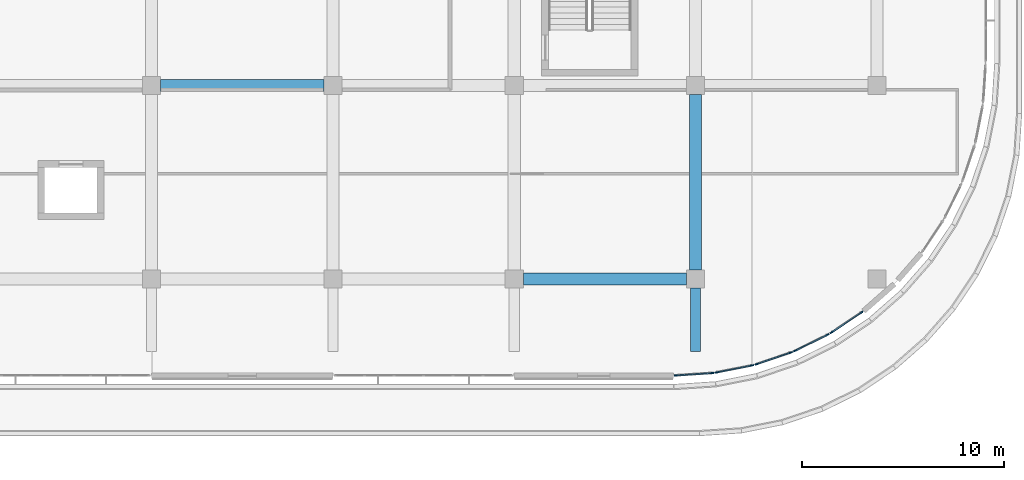
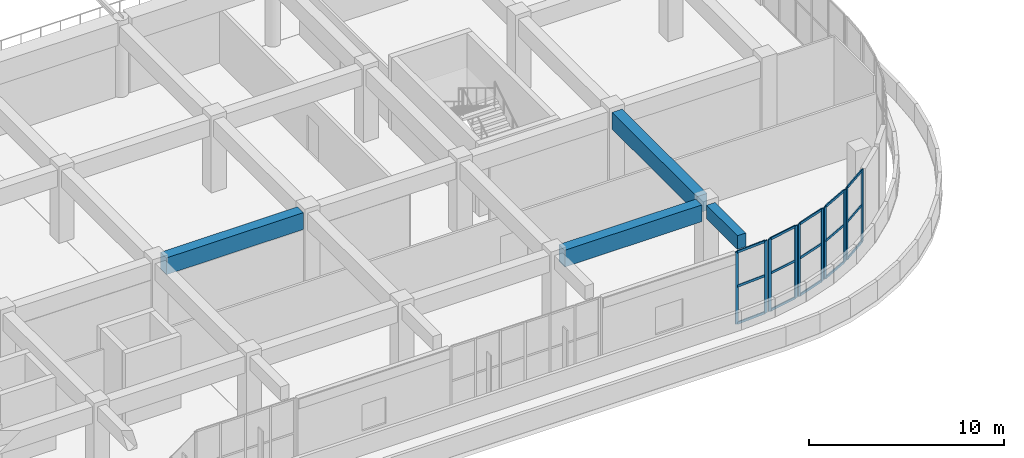
# One storey, part 21 of 96: 25 members, 4 beams, 5 elements without a shape of their own.
"""IFC4 building model written with IfcOpenShell, lengths in metres."""

from ifc_helpers import new_model, si_unit, direction, frame, origin, origin_2d, place, context, subcontext, project, spatial, rectangle, extrude, material, layer, layer_set, material_profile, profile_set, type_object, element, aggregate, save


model = new_model("IFC4")

# Units and contexts
model_context = context("Model", 3, precision=1e-05, world=origin(), true_north=direction((0.0, 1.0)))
body_context = subcontext(model_context, "Body", "Model", "MODEL_VIEW")
ifc_project = project(units=[si_unit("LENGTHUNIT", "METRE"), si_unit("AREAUNIT", "SQUARE_METRE"), si_unit("VOLUMEUNIT", "CUBIC_METRE"), si_unit("PLANEANGLEUNIT", "RADIAN"), si_unit("MASSUNIT", "GRAM", prefix="KILO")], contexts=[model_context])

# Site, building, storey
site_placement = place(None, origin())
site = spatial("IfcSite", under=ifc_project, at=site_placement, CompositionType="ELEMENT")
building_placement = place(site_placement, origin())
building = spatial("IfcBuilding", under=site, at=building_placement, Name="Cendralis Terraced Arcade", CompositionType="ELEMENT")
storey_placement = place(building_placement, frame((0.0, 0.0, 10.199951171875)))
storey = spatial("IfcBuildingStorey", under=building, at=storey_placement, Name="L02", CompositionType="ELEMENT", Elevation=10.199951171875)

# Beams
ifc_material_1 = material(Name="Concrete f'c 35 MPa", Category="concrete")
ifc_material_profile_1 = material_profile(ifc_material_1, rectangle(XDim=0.60009765625, YDim=1.050048828125, at=origin_2d()), Name="RC-BM-600x1050", Category="LoadBearing")
ifc_profile_set_1 = profile_set([ifc_material_profile_1], Name="Concrete f'c 35 MPa")
beam_type_1 = type_object("IfcBeamType", Name="BM-600x1050", PredefinedType="JOIST", material=ifc_profile_set_1)
for number, where, z_axis, x_axis, name in (
    (1, (112.64990234375, 9.60009765625, 3.989990234375), (1.0, 0.0, 0.0), (0.0, 1.0, 0.0), "Reinforced Concrete Frame Beam BM-X-L03-B-13_14"),
    (2, (94.64990234375, 19.199951171875, 3.989990234375), (1.0, 0.0, 0.0), (0.0, 1.0, 0.0), "Reinforced Concrete Frame Beam BM-X-L03-C-11_12"),
):
    element("IfcBeam", number, at=place(storey_placement, frame(where, z_axis=z_axis, x_axis=x_axis)), inside=storey, type_object=beam_type_1, Name=name, PredefinedType="JOIST", context=body_context, shape_type="SweptSolid", body=[
        extrude(rectangle(XDim=0.60009765625, YDim=1.050048828125, at=origin_2d()), origin(), (0.0, 0.0, 1.0), 8.10009765625),
    ])
beam_1_placement = place(storey_placement, frame((121.199951171875, 10.050048828125, 3.989990234375), z_axis=(0.0, 1.0, 0.0), x_axis=(-1.0, 0.0, 0.0)))
element("IfcBeam", 3, at=beam_1_placement, inside=storey, type_object=beam_type_1, Name="Reinforced Concrete Frame Beam BM-Y-L03-14-B_C", PredefinedType="JOIST", context=body_context, shape_type="SweptSolid", body=[
    extrude(rectangle(XDim=0.60009765625, YDim=1.050048828125, at=origin_2d()), origin(), (0.0, 0.0, 1.0), 8.699951171875),
])
ifc_material_profile_2 = material_profile(ifc_material_1, rectangle(XDim=0.5, YDim=0.85009765625, at=origin_2d()), Name="RC-BM-500x850", Category="LoadBearing")
ifc_profile_set_2 = profile_set([ifc_material_profile_2], Name="Concrete f'c 35 MPa")
beam_type_2 = type_object("IfcBeamType", Name="BM-TER-500x850", PredefinedType="BEAM", material=ifc_profile_set_2)
beam_2_placement = place(storey_placement, frame((121.199951171875, 9.14990234375, 4.090087890625), z_axis=(0.0, -1.0, 0.0), x_axis=(1.0, 0.0, 0.0)))
element("IfcBeam", 4, at=beam_2_placement, inside=storey, type_object=beam_type_2, Name="Terrace Bracket Girder TER-L03-V4-14", PredefinedType="BEAM", context=body_context, shape_type="SweptSolid", body=[
    extrude(rectangle(XDim=0.5, YDim=0.85009765625, at=origin_2d()), origin(), (0.0, 0.0, 1.0), 3.14990234375),
])

# Curtain wall, members
ifc_material_2 = material(Name="Anodised aluminium EN AW-6063 T6", Category="aluminium")
ifc_layer = layer(ifc_material_2, 0.179931640625, Name="CW-UNIT-A")
ifc_layer_set = layer_set([ifc_layer], Name="Anodised aluminium EN AW-6063 T6")
curtain_wall_type = type_object("IfcCurtainWallType", Name="CW-UNIT-A", PredefinedType="USERDEFINED", material=ifc_layer_set)
curtain_wall_1_placement = place(storey_placement, origin())
curtain_wall_1 = element("IfcCurtainWall", 5, at=curtain_wall_1_placement, inside=storey, type_object=curtain_wall_type, Name="Exterior Unitised Facade CW-L02-0184", ObjectType="UNITISED FACADE", PredefinedType="USERDEFINED")
ifc_material_profile_3 = material_profile(ifc_material_2, rectangle(XDim=0.06494140625, YDim=0.179931640625, at=origin_2d()), Name="ALU-MUL-65x180")
ifc_profile_set_3 = profile_set([ifc_material_profile_3], Name="Anodised aluminium EN AW-6063 T6")
member_type_1 = type_object("IfcMemberType", Name="CW-UNIT-A-MUL", PredefinedType="MULLION", material=ifc_profile_set_3)
member_1_placement = place(storey_placement, frame((129.43408203125, 7.93505859375, 0.0), z_axis=(0.0, 0.0, 1.0), x_axis=(0.555549269065, -0.831483619587, 0.0)))
member_1 = element("IfcMember", 6, at=member_1_placement, type_object=member_type_1, Name="CW-U1 mullion 1", PredefinedType="MULLION", context=body_context, shape_type="SweptSolid", body=[
    extrude(rectangle(XDim=0.06494140625, YDim=0.179931640625, at=origin_2d()), origin(), (0.0, 0.0, 1.0), 4.51513671875),
])
member_2_placement = place(storey_placement, frame((127.951904296875, 6.944580078125, 0.0), z_axis=(0.0, 0.0, 1.0), x_axis=(0.555549269065, -0.831483619587, 0.0)))
member_2 = element("IfcMember", 7, at=member_2_placement, type_object=member_type_1, Name="CW-U1 mullion 2", PredefinedType="MULLION", context=body_context, shape_type="SweptSolid", body=[
    extrude(rectangle(XDim=0.06494140625, YDim=0.179931640625, at=origin_2d()), origin(), (0.0, 0.0, 1.0), 4.51513671875),
])

curtain_wall_2_placement = place(storey_placement, origin())
curtain_wall_2 = element("IfcCurtainWall", 8, at=curtain_wall_2_placement, inside=storey, type_object=curtain_wall_type, Name="Exterior Unitised Facade CW-L02-0185", ObjectType="UNITISED FACADE", PredefinedType="USERDEFINED")
member_3_placement = place(storey_placement, frame((127.740234375, 6.822509765625, 0.0), z_axis=(0.0, 0.0, 1.0), x_axis=(0.442270416572, -0.896881752867, 0.0)))
member_3 = element("IfcMember", 9, at=member_3_placement, type_object=member_type_1, Name="CW-U1 mullion 1", PredefinedType="MULLION", context=body_context, shape_type="SweptSolid", body=[
    extrude(rectangle(XDim=0.06494140625, YDim=0.179931640625, at=origin_2d()), origin(), (0.0, 0.0, 1.0), 4.51513671875),
])
member_4_placement = place(storey_placement, frame((126.141357421875, 6.0341796875, 0.0), z_axis=(0.0, 0.0, 1.0), x_axis=(0.442270416572, -0.896881752867, 0.0)))
member_4 = element("IfcMember", 10, at=member_4_placement, type_object=member_type_1, Name="CW-U1 mullion 2", PredefinedType="MULLION", context=body_context, shape_type="SweptSolid", body=[
    extrude(rectangle(XDim=0.06494140625, YDim=0.179931640625, at=origin_2d()), origin(), (0.0, 0.0, 1.0), 4.51513671875),
])

curtain_wall_3_placement = place(storey_placement, origin())
curtain_wall_3 = element("IfcCurtainWall", 11, at=curtain_wall_3_placement, inside=storey, type_object=curtain_wall_type, Name="Exterior Unitised Facade CW-L02-0186", ObjectType="UNITISED FACADE", PredefinedType="USERDEFINED")
member_5_placement = place(storey_placement, frame((125.91552734375, 5.9404296875, 0.0), z_axis=(0.0, 0.0, 1.0), x_axis=(0.32150002033, -0.946909571674, 0.0)))
member_5 = element("IfcMember", 12, at=member_5_placement, type_object=member_type_1, Name="CW-U1 mullion 1", PredefinedType="MULLION", context=body_context, shape_type="SweptSolid", body=[
    extrude(rectangle(XDim=0.06494140625, YDim=0.179931640625, at=origin_2d()), origin(), (0.0, 0.0, 1.0), 4.51513671875),
])
member_6_placement = place(storey_placement, frame((124.227783203125, 5.367431640625, 0.0), z_axis=(0.0, 0.0, 1.0), x_axis=(0.32150002033, -0.946909571674, 0.0)))
member_6 = element("IfcMember", 13, at=member_6_placement, type_object=member_type_1, Name="CW-U1 mullion 2", PredefinedType="MULLION", context=body_context, shape_type="SweptSolid", body=[
    extrude(rectangle(XDim=0.06494140625, YDim=0.179931640625, at=origin_2d()), origin(), (0.0, 0.0, 1.0), 4.51513671875),
])

curtain_wall_4_placement = place(storey_placement, origin())
curtain_wall_4 = element("IfcCurtainWall", 14, at=curtain_wall_4_placement, inside=storey, type_object=curtain_wall_type, Name="Exterior Unitised Facade CW-L02-0187", ObjectType="UNITISED FACADE", PredefinedType="USERDEFINED")
member_7_placement = place(storey_placement, frame((123.991455078125, 5.30419921875, 0.0), z_axis=(0.0, 0.0, 1.0), x_axis=(0.195033398913, -0.980796601395, 0.0)))
member_7 = element("IfcMember", 15, at=member_7_placement, type_object=member_type_1, Name="CW-U1 mullion 1", PredefinedType="MULLION", context=body_context, shape_type="SweptSolid", body=[
    extrude(rectangle(XDim=0.06494140625, YDim=0.179931640625, at=origin_2d()), origin(), (0.0, 0.0, 1.0), 4.51513671875),
])
member_8_placement = place(storey_placement, frame((122.243408203125, 4.95654296875, 0.0), z_axis=(0.0, 0.0, 1.0), x_axis=(0.195033398913, -0.980796601395, 0.0)))
member_8 = element("IfcMember", 16, at=member_8_placement, type_object=member_type_1, Name="CW-U1 mullion 2", PredefinedType="MULLION", context=body_context, shape_type="SweptSolid", body=[
    extrude(rectangle(XDim=0.06494140625, YDim=0.179931640625, at=origin_2d()), origin(), (0.0, 0.0, 1.0), 4.51513671875),
])

curtain_wall_5_placement = place(storey_placement, origin())
curtain_wall_5 = element("IfcCurtainWall", 17, at=curtain_wall_5_placement, inside=storey, type_object=curtain_wall_type, Name="Exterior Unitised Facade CW-L02-0188", ObjectType="UNITISED FACADE", PredefinedType="USERDEFINED")
member_9_placement = place(storey_placement, frame((122.0009765625, 4.924560546875, 0.0), z_axis=(0.0, 0.0, 1.0), x_axis=(0.065383766124, -0.997860192175, 0.0)))
member_9 = element("IfcMember", 18, at=member_9_placement, type_object=member_type_1, Name="CW-U1 mullion 1", PredefinedType="MULLION", context=body_context, shape_type="SweptSolid", body=[
    extrude(rectangle(XDim=0.06494140625, YDim=0.179931640625, at=origin_2d()), origin(), (0.0, 0.0, 1.0), 4.51513671875),
])
member_10_placement = place(storey_placement, frame((120.22216796875, 4.80810546875, 0.0), z_axis=(0.0, 0.0, 1.0), x_axis=(0.065383766124, -0.997860192175, 0.0)))
member_10 = element("IfcMember", 19, at=member_10_placement, type_object=member_type_1, Name="CW-U1 mullion 2", PredefinedType="MULLION", context=body_context, shape_type="SweptSolid", body=[
    extrude(rectangle(XDim=0.06494140625, YDim=0.179931640625, at=origin_2d()), origin(), (0.0, 0.0, 1.0), 4.51513671875),
])

# Member
ifc_material_profile_4 = material_profile(ifc_material_2, rectangle(XDim=0.06494140625, YDim=0.14990234375, at=origin_2d()), Name="ALU-TRN-65x150")
ifc_profile_set_4 = profile_set([ifc_material_profile_4], Name="Anodised aluminium EN AW-6063 T6")
member_type_2 = type_object("IfcMemberType", Name="CW-UNIT-A-TRN", PredefinedType="USERDEFINED", material=ifc_profile_set_4)
member_11_placement = place(storey_placement, frame((129.406982421875, 7.9169921875, 0.032470703125), z_axis=(-0.831459437663, -0.555585460141, 0.0), x_axis=(0.555585460141, -0.831459437663, 0.0)))
member_11 = element("IfcMember", 20, at=member_11_placement, type_object=member_type_2, Name="CW-U1 transom 1.1", ObjectType="TRANSOM", PredefinedType="USERDEFINED", context=body_context, shape_type="SweptSolid", body=[
    extrude(rectangle(XDim=0.06494140625, YDim=0.14990234375, at=origin_2d()), origin(), (0.0, 0.0, 1.0), 1.7177734375),
])

member_12_placement = place(storey_placement, frame((129.406982421875, 7.9169921875, 2.347900390625), z_axis=(-0.831459437663, -0.555585460141, 0.0), x_axis=(0.555585460141, -0.831459437663, 0.0)))
member_12 = element("IfcMember", 21, at=member_12_placement, type_object=member_type_2, Name="CW-U1 transom 1.2", ObjectType="TRANSOM", PredefinedType="USERDEFINED", context=body_context, shape_type="SweptSolid", body=[
    extrude(rectangle(XDim=0.06494140625, YDim=0.14990234375, at=origin_2d()), origin(), (0.0, 0.0, 1.0), 1.7177734375),
])

member_13_placement = place(storey_placement, frame((129.406982421875, 7.9169921875, 4.482666015625), z_axis=(-0.831459437663, -0.555585460141, 0.0), x_axis=(0.555585460141, -0.831459437663, 0.0)))
member_13 = element("IfcMember", 22, at=member_13_placement, type_object=member_type_2, Name="CW-U1 transom 1.3", ObjectType="TRANSOM", PredefinedType="USERDEFINED", context=body_context, shape_type="SweptSolid", body=[
    extrude(rectangle(XDim=0.06494140625, YDim=0.14990234375, at=origin_2d()), origin(), (0.0, 0.0, 1.0), 1.7177734375),
])

aggregate(curtain_wall_1, [member_1, member_2, member_11, member_12, member_13])

member_14_placement = place(storey_placement, frame((127.7109375, 6.80810546875, 0.032470703125), z_axis=(-0.896830699832, -0.442373932141, 0.0), x_axis=(0.442373932141, -0.896830699832, 0.0)))
member_14 = element("IfcMember", 23, at=member_14_placement, type_object=member_type_2, Name="CW-U1 transom 1.1", ObjectType="TRANSOM", PredefinedType="USERDEFINED", context=body_context, shape_type="SweptSolid", body=[
    extrude(rectangle(XDim=0.06494140625, YDim=0.14990234375, at=origin_2d()), origin(), (0.0, 0.0, 1.0), 1.717529296875),
])

member_15_placement = place(storey_placement, frame((127.7109375, 6.80810546875, 2.347900390625), z_axis=(-0.896830699832, -0.442373932141, 0.0), x_axis=(0.442373932141, -0.896830699832, 0.0)))
member_15 = element("IfcMember", 24, at=member_15_placement, type_object=member_type_2, Name="CW-U1 transom 1.2", ObjectType="TRANSOM", PredefinedType="USERDEFINED", context=body_context, shape_type="SweptSolid", body=[
    extrude(rectangle(XDim=0.06494140625, YDim=0.14990234375, at=origin_2d()), origin(), (0.0, 0.0, 1.0), 1.717529296875),
])

member_16_placement = place(storey_placement, frame((127.7109375, 6.80810546875, 4.482666015625), z_axis=(-0.896830699832, -0.442373932141, 0.0), x_axis=(0.442373932141, -0.896830699832, 0.0)))
member_16 = element("IfcMember", 25, at=member_16_placement, type_object=member_type_2, Name="CW-U1 transom 1.3", ObjectType="TRANSOM", PredefinedType="USERDEFINED", context=body_context, shape_type="SweptSolid", body=[
    extrude(rectangle(XDim=0.06494140625, YDim=0.14990234375, at=origin_2d()), origin(), (0.0, 0.0, 1.0), 1.717529296875),
])

aggregate(curtain_wall_2, [member_3, member_4, member_14, member_15, member_16])

member_17_placement = place(storey_placement, frame((125.884765625, 5.93017578125, 0.032470703125), z_axis=(-0.946891388913, -0.321553568792, 0.0), x_axis=(0.321553568792, -0.946891388913, 0.0)))
member_17 = element("IfcMember", 26, at=member_17_placement, type_object=member_type_2, Name="CW-U1 transom 1.1", ObjectType="TRANSOM", PredefinedType="USERDEFINED", context=body_context, shape_type="SweptSolid", body=[
    extrude(rectangle(XDim=0.06494140625, YDim=0.14990234375, at=origin_2d()), origin(), (0.0, 0.0, 1.0), 1.717529296875),
])

member_18_placement = place(storey_placement, frame((125.884765625, 5.93017578125, 2.347900390625), z_axis=(-0.946891388913, -0.321553568792, 0.0), x_axis=(0.321553568792, -0.946891388913, 0.0)))
member_18 = element("IfcMember", 27, at=member_18_placement, type_object=member_type_2, Name="CW-U1 transom 1.2", ObjectType="TRANSOM", PredefinedType="USERDEFINED", context=body_context, shape_type="SweptSolid", body=[
    extrude(rectangle(XDim=0.06494140625, YDim=0.14990234375, at=origin_2d()), origin(), (0.0, 0.0, 1.0), 1.717529296875),
])

member_19_placement = place(storey_placement, frame((125.884765625, 5.93017578125, 4.482666015625), z_axis=(-0.946891388913, -0.321553568792, 0.0), x_axis=(0.321553568792, -0.946891388913, 0.0)))
member_19 = element("IfcMember", 28, at=member_19_placement, type_object=member_type_2, Name="CW-U1 transom 1.3", ObjectType="TRANSOM", PredefinedType="USERDEFINED", context=body_context, shape_type="SweptSolid", body=[
    extrude(rectangle(XDim=0.06494140625, YDim=0.14990234375, at=origin_2d()), origin(), (0.0, 0.0, 1.0), 1.717529296875),
])

aggregate(curtain_wall_3, [member_5, member_6, member_17, member_18, member_19])

member_20_placement = place(storey_placement, frame((123.959716796875, 5.2978515625, 0.032470703125), z_axis=(-0.980798750293, -0.195022592087, 0.0), x_axis=(0.195022592087, -0.980798750293, 0.0)))
member_20 = element("IfcMember", 29, at=member_20_placement, type_object=member_type_2, Name="CW-U1 transom 1.1", ObjectType="TRANSOM", PredefinedType="USERDEFINED", context=body_context, shape_type="SweptSolid", body=[
    extrude(rectangle(XDim=0.06494140625, YDim=0.14990234375, at=origin_2d()), origin(), (0.0, 0.0, 1.0), 1.717529296875),
])

member_21_placement = place(storey_placement, frame((123.959716796875, 5.2978515625, 2.347900390625), z_axis=(-0.980798750293, -0.195022592087, 0.0), x_axis=(0.195022592087, -0.980798750293, 0.0)))
member_21 = element("IfcMember", 30, at=member_21_placement, type_object=member_type_2, Name="CW-U1 transom 1.2", ObjectType="TRANSOM", PredefinedType="USERDEFINED", context=body_context, shape_type="SweptSolid", body=[
    extrude(rectangle(XDim=0.06494140625, YDim=0.14990234375, at=origin_2d()), origin(), (0.0, 0.0, 1.0), 1.717529296875),
])

member_22_placement = place(storey_placement, frame((123.959716796875, 5.2978515625, 4.482666015625), z_axis=(-0.980798750293, -0.195022592087, 0.0), x_axis=(0.195022592087, -0.980798750293, 0.0)))
member_22 = element("IfcMember", 31, at=member_22_placement, type_object=member_type_2, Name="CW-U1 transom 1.3", ObjectType="TRANSOM", PredefinedType="USERDEFINED", context=body_context, shape_type="SweptSolid", body=[
    extrude(rectangle(XDim=0.06494140625, YDim=0.14990234375, at=origin_2d()), origin(), (0.0, 0.0, 1.0), 1.717529296875),
])

aggregate(curtain_wall_4, [member_7, member_8, member_20, member_21, member_22])

member_23_placement = place(storey_placement, frame((121.968505859375, 4.92236328125, 0.032470703125), z_axis=(-0.997859990953, -0.065386837014, 0.0), x_axis=(0.065386837014, -0.997859990953, 0.0)))
member_23 = element("IfcMember", 32, at=member_23_placement, type_object=member_type_2, Name="CW-U1 transom 1.1", ObjectType="TRANSOM", PredefinedType="USERDEFINED", context=body_context, shape_type="SweptSolid", body=[
    extrude(rectangle(XDim=0.06494140625, YDim=0.14990234375, at=origin_2d()), origin(), (0.0, 0.0, 1.0), 1.717529296875),
])

member_24_placement = place(storey_placement, frame((121.968505859375, 4.92236328125, 2.347900390625), z_axis=(-0.997859990953, -0.065386837014, 0.0), x_axis=(0.065386837014, -0.997859990953, 0.0)))
member_24 = element("IfcMember", 33, at=member_24_placement, type_object=member_type_2, Name="CW-U1 transom 1.2", ObjectType="TRANSOM", PredefinedType="USERDEFINED", context=body_context, shape_type="SweptSolid", body=[
    extrude(rectangle(XDim=0.06494140625, YDim=0.14990234375, at=origin_2d()), origin(), (0.0, 0.0, 1.0), 1.717529296875),
])

member_25_placement = place(storey_placement, frame((121.968505859375, 4.92236328125, 4.482666015625), z_axis=(-0.997859990953, -0.065386837014, 0.0), x_axis=(0.065386837014, -0.997859990953, 0.0)))
member_25 = element("IfcMember", 34, at=member_25_placement, type_object=member_type_2, Name="CW-U1 transom 1.3", ObjectType="TRANSOM", PredefinedType="USERDEFINED", context=body_context, shape_type="SweptSolid", body=[
    extrude(rectangle(XDim=0.06494140625, YDim=0.14990234375, at=origin_2d()), origin(), (0.0, 0.0, 1.0), 1.717529296875),
])

aggregate(curtain_wall_5, [member_9, member_10, member_23, member_24, member_25])

save(model, "model.ifc")
